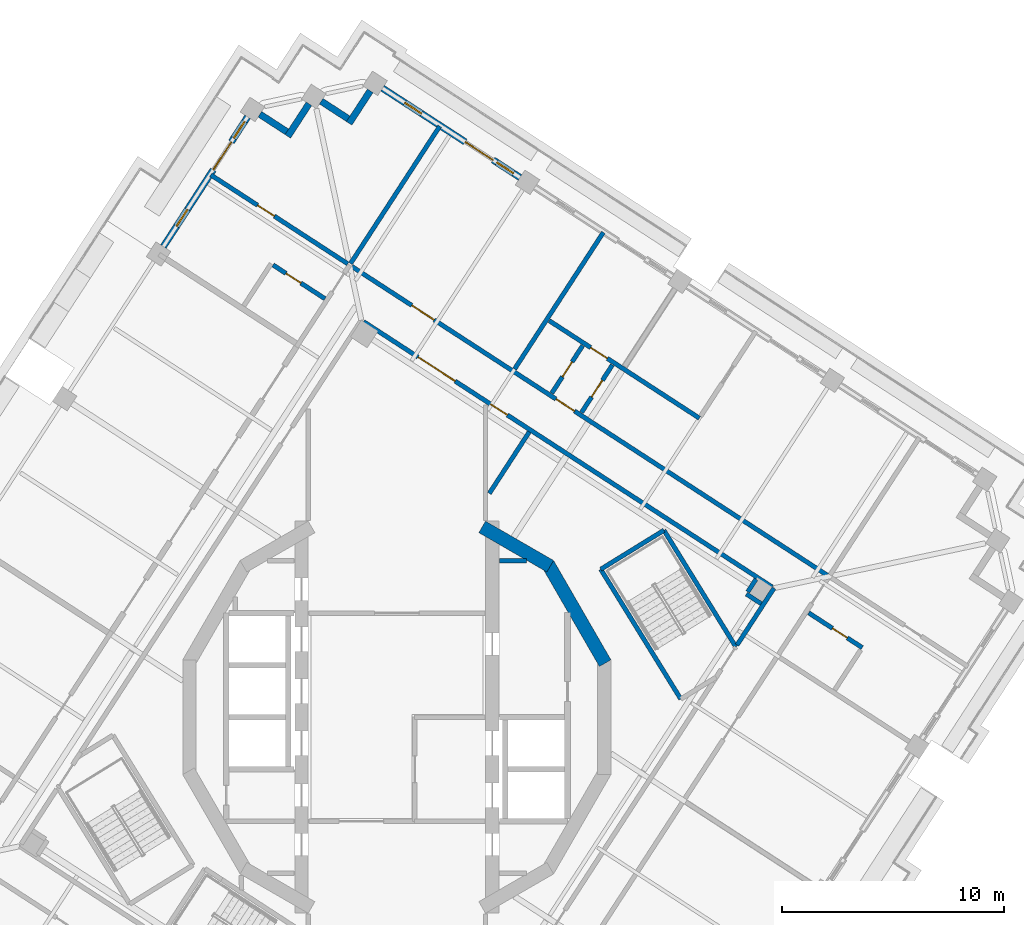
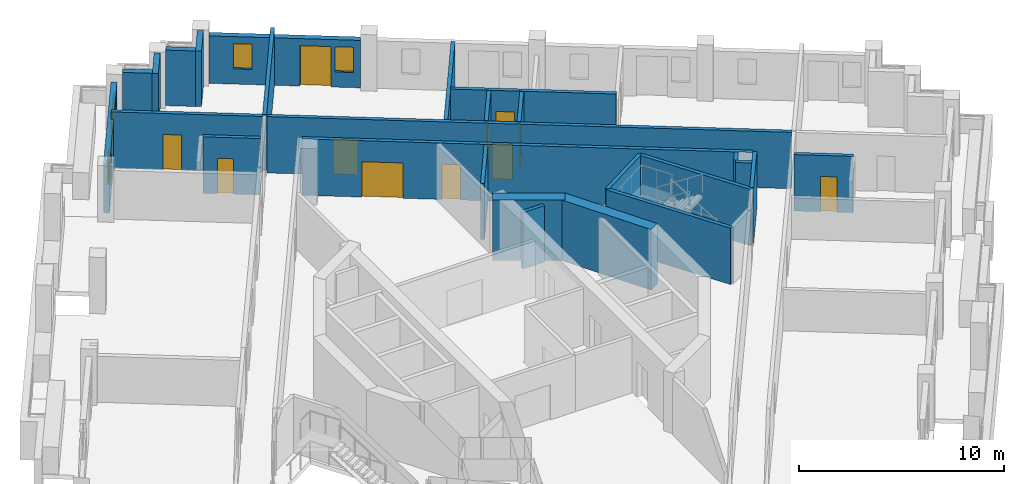
# One storey, part 8 of 15: 26 walls, 12 doors, 4 windows, 16 openings.
"""IFC4 building model written with IfcOpenShell, lengths in metres."""

from ifc_helpers import new_model, si_unit, direction, frame, frame_2d, origin, place, context, subcontext, project, spatial, rectangle, extrude, material, layer, layer_set, type_object, element, fill, save


model = new_model("IFC4")

# Units and contexts
model_context = context("Model", 3, precision=1e-05, world=origin(), true_north=direction((0.0, 1.0)))
body_context = subcontext(model_context, "Body", "Model", "MODEL_VIEW")
ifc_project = project(units=[si_unit("LENGTHUNIT", "METRE"), si_unit("AREAUNIT", "SQUARE_METRE"), si_unit("VOLUMEUNIT", "CUBIC_METRE"), si_unit("PLANEANGLEUNIT", "RADIAN"), si_unit("MASSUNIT", "GRAM", prefix="KILO")], contexts=[model_context])

# Site, building, storey
site_placement = place(None, origin())
site = spatial("IfcSite", under=ifc_project, at=site_placement, CompositionType="ELEMENT")
building_placement = place(site_placement, origin())
building = spatial("IfcBuilding", under=site, at=building_placement, Name="Cantera Rosa Tower", CompositionType="ELEMENT")
storey_placement = place(building_placement, frame((0.0, 0.0, 282.89990234375)))
storey = spatial("IfcBuildingStorey", under=building, at=storey_placement, Name="L64", CompositionType="ELEMENT", Elevation=282.89990234375)

# Wall
ifc_material_1 = material(Name="Gypsum board partition")
ifc_layer_1 = layer(ifc_material_1, 0.199951171875)
ifc_layer_set_1 = layer_set([ifc_layer_1], Name="CORRIDOR WALL 200 H3350")
wall_type_1 = type_object("IfcWallType", Name="CORRIDOR WALL 200 H3350", PredefinedType="PARTITIONING", material=ifc_layer_set_1)
wall_1_placement = place(storey_placement, frame((15.349853515625, 3.256103515625, 0.0), z_axis=(0.0, 0.0, 1.0), x_axis=(0.544603984755, 0.838693328809, 0.0)))
element("IfcWall", 1, at=wall_1_placement, inside=storey, type_object=wall_type_1, Name="CORRIDOR WALL L64-079", PredefinedType="PARTITIONING", context=body_context, shape_type="SweptSolid", body=[
    extrude(rectangle(XDim=3.05908203125, YDim=0.199951171875, at=frame_2d((1.529541015625, 0.0))), origin(), (0.0, 0.0, 1.0), 3.35009765625),
])

# Wall, openings, doors
wall_2_placement = place(storey_placement, frame((16.931884765625, 5.876220703125, 0.0), z_axis=(0.0, 0.0, 1.0), x_axis=(-0.838668134264, 0.544642782538, 0.0)))
wall_2 = element("IfcWall", 2, at=wall_2_placement, inside=storey, type_object=wall_type_1, Name="CORRIDOR WALL L64-083", PredefinedType="PARTITIONING", context=body_context, shape_type="SweptSolid", body=[
    extrude(rectangle(XDim=21.97998046875, YDim=0.199951171875, at=frame_2d((10.989990234375, 0.0))), origin(), (0.0, 0.0, 1.0), 3.35009765625),
])
opening_1_placement = place(wall_2_placement, frame((14.243896484375, 0.0, 0.0)))
opening_1 = element("IfcOpeningElement", 3, at=opening_1_placement, cuts=wall_2, Name="Opening L64-004", PredefinedType="OPENING", context=body_context, shape_type="SweptSolid", body=[
    extrude(rectangle(XDim=0.89990234375, YDim=2.10009765625, at=frame_2d((0.449951171875, 1.050048828125))), frame((0.0, 0.10986328125, 0.0), z_axis=(0.0, -1.0, 0.0), x_axis=(1.0, 0.0, 0.0)), (0.0, 0.0, 1.0), 0.219970703125),
])
opening_2_placement = place(wall_2_placement, frame((17.050048828125, 0.0, 0.0)))
opening_2 = element("IfcOpeningElement", 4, at=opening_2_placement, cuts=wall_2, Name="Opening L64-008", PredefinedType="OPENING", context=body_context, shape_type="SweptSolid", body=[
    extrude(rectangle(XDim=2.0, YDim=2.10009765625, at=frame_2d((1.0, 1.050048828125))), frame((0.0, 0.10986328125, 0.0), z_axis=(0.0, -1.0, 0.0), x_axis=(1.0, 0.0, 0.0)), (0.0, 0.0, 1.0), 0.219970703125),
])
ifc_material_2 = material(Name="Steel S355J2 (EN 10025-2)", Category="steel")
door_type_1 = type_object("IfcDoorType", Name="LOBBY SCREEN DOOR 2000x2100", OperationType="NOTDEFINED", PredefinedType="DOOR", material=ifc_material_2)
door_1_placement = place(opening_2_placement, origin())
door_1 = element("IfcDoor", 5, at=door_1_placement, inside=storey, type_object=door_type_1, Name="DOOR L64-008", OperationType="NOTDEFINED", OverallHeight=2.10009765625, OverallWidth=2.0, PredefinedType="DOOR", context=body_context, shape_type="SweptSolid", body=[
    extrude(rectangle(XDim=2.0, YDim=2.10009765625, at=frame_2d((1.0, 1.050048828125))), frame((0.0, 0.02490234375, 0.0), z_axis=(0.0, -1.0, 0.0), x_axis=(1.0, 0.0, 0.0)), (0.0, 0.0, 1.0), 0.050048828125),
])
fill(opening_2, door_1)
ifc_material_3 = material(Name="Timber door leaf", Category="wood")
door_type_2 = type_object("IfcDoorType", Name="SERVICE DOOR 900x2100", OperationType="NOTDEFINED", PredefinedType="DOOR", material=ifc_material_3)
door_2_placement = place(opening_1_placement, origin())
door_2 = element("IfcDoor", 6, at=door_2_placement, inside=storey, type_object=door_type_2, Name="DOOR L64-004", OperationType="NOTDEFINED", OverallHeight=2.10009765625, OverallWidth=0.89990234375, PredefinedType="DOOR", context=body_context, shape_type="SweptSolid", body=[
    extrude(rectangle(XDim=0.89990234375, YDim=2.10009765625, at=frame_2d((0.449951171875, 1.050048828125))), frame((0.0, 0.02490234375, 0.0), z_axis=(0.0, -1.0, 0.0), x_axis=(1.0, 0.0, 0.0)), (0.0, 0.0, 1.0), 0.050048828125),
])
fill(opening_1, door_2)

wall_3_placement = place(storey_placement, frame((19.422119140625, 6.405517578125, 0.0), z_axis=(0.0, 0.0, 1.0), x_axis=(-0.838672283131, 0.544636393851, 0.0)))
wall_3 = element("IfcWall", 7, at=wall_3_placement, inside=storey, type_object=wall_type_1, Name="CORRIDOR WALL L64-086", PredefinedType="PARTITIONING", context=body_context, shape_type="SweptSolid", body=[
    extrude(rectangle(XDim=25.580078125, YDim=0.199951171875, at=frame_2d((12.7900390625, 0.0))), origin(), (0.0, 0.0, 1.0), 3.35009765625),
])
opening_3_placement = place(wall_3_placement, frame((13.60009765625, 0.0, 0.0)))
opening_3 = element("IfcOpeningElement", 8, at=opening_3_placement, cuts=wall_3, Name="Opening L64-018", PredefinedType="OPENING", context=body_context, shape_type="SweptSolid", body=[
    extrude(rectangle(XDim=1.0, YDim=2.10009765625, at=frame_2d((0.5, 1.050048828125))), frame((0.0, 0.10986328125, 0.0), z_axis=(0.0, -1.0, 0.0), x_axis=(1.0, 0.0, 0.0)), (0.0, 0.0, 1.0), 0.219970703125),
])
opening_4_placement = place(wall_3_placement, frame((21.14990234375, 0.0, 0.0)))
opening_4 = element("IfcOpeningElement", 9, at=opening_4_placement, cuts=wall_3, Name="Opening L64-023", PredefinedType="OPENING", context=body_context, shape_type="SweptSolid", body=[
    extrude(rectangle(XDim=1.199951171875, YDim=2.10009765625, at=frame_2d((0.60009765625, 1.050048828125))), frame((0.0, 0.10986328125, 0.0), z_axis=(0.0, -1.0, 0.0), x_axis=(1.0, 0.0, 0.0)), (0.0, 0.0, 1.0), 0.219970703125),
])
ifc_material_4 = material(Name="Timber door leaf", Category="wood")
door_type_3 = type_object("IfcDoorType", Name="ENTRANCE DOOR 1000x2100", OperationType="NOTDEFINED", PredefinedType="DOOR", material=ifc_material_4)
door_3_placement = place(opening_3_placement, origin())
door_3 = element("IfcDoor", 10, at=door_3_placement, inside=storey, type_object=door_type_3, Name="DOOR L64-018", OperationType="NOTDEFINED", OverallHeight=2.10009765625, OverallWidth=1.0, PredefinedType="DOOR", context=body_context, shape_type="SweptSolid", body=[
    extrude(rectangle(XDim=1.0, YDim=2.10009765625, at=frame_2d((0.5, 1.050048828125))), frame((0.0, 0.02490234375, 0.0), z_axis=(0.0, -1.0, 0.0), x_axis=(1.0, 0.0, 0.0)), (0.0, 0.0, 1.0), 0.050048828125),
])
fill(opening_3, door_3)
ifc_material_5 = material(Name="Timber door leaf", Category="wood")
door_type_4 = type_object("IfcDoorType", Name="ROOM DOOR 1200x2100", OperationType="NOTDEFINED", PredefinedType="DOOR", material=ifc_material_5)
door_4_placement = place(opening_4_placement, origin())
door_4 = element("IfcDoor", 11, at=door_4_placement, inside=storey, type_object=door_type_4, Name="DOOR L64-023", OperationType="NOTDEFINED", OverallHeight=2.10009765625, OverallWidth=1.199951171875, PredefinedType="DOOR", context=body_context, shape_type="SweptSolid", body=[
    extrude(rectangle(XDim=1.199951171875, YDim=2.10009765625, at=frame_2d((0.60009765625, 1.050048828125))), frame((0.0, 0.02490234375, 0.0), z_axis=(0.0, -1.0, 0.0), x_axis=(1.0, 0.0, 0.0)), (0.0, 0.0, 1.0), 0.050048828125),
])
fill(opening_4, door_4)

# Walls
ifc_material_6 = material(Name="Hollow clay masonry with cantera stone cladding", Category="masonry")
ifc_layer_2 = layer(ifc_material_6, 0.300048828125)
ifc_layer_set_2 = layer_set([ifc_layer_2], Name="EW-LOGGIA 300")
wall_type_2 = type_object("IfcWallType", Name="EW-LOGGIA 300", PredefinedType="SOLIDWALL", material=ifc_layer_set_2)
wall_4_placement = place(storey_placement, frame((-1.2001953125, 28.263427734375, 0.0), z_axis=(0.0, 0.0, 1.0), x_axis=(-0.54461563776, -0.838685761837, 0.0)))
element("IfcWall", 12, at=wall_4_placement, inside=storey, type_object=wall_type_2, Name="EN-L64-W05a", PredefinedType="SOLIDWALL", context=body_context, shape_type="SweptSolid", body=[
    extrude(rectangle(XDim=1.75, YDim=0.300048828125, at=frame_2d((0.875, 0.0))), origin(), (0.0, 0.0, 1.0), 3.300048828125),
])
wall_5_placement = place(storey_placement, frame((-2.197509765625, 27.003173828125, 0.0), z_axis=(0.0, 0.0, 1.0), x_axis=(-0.838647435384, 0.54467465438, 0.0)))
element("IfcWall", 13, at=wall_5_placement, inside=storey, type_object=wall_type_2, Name="EN-L64-W05b", PredefinedType="SOLIDWALL", context=body_context, shape_type="SweptSolid", body=[
    extrude(rectangle(XDim=1.449951171875, YDim=0.300048828125, at=frame_2d((0.72509765625, 0.0))), origin(), (0.0, 0.0, 1.0), 3.300048828125),
])
wall_6_placement = place(storey_placement, frame((-3.966796875, 27.67529296875, 0.0), z_axis=(0.0, 0.0, 1.0), x_axis=(-0.544679362749, -0.83864437743, 0.0)))
element("IfcWall", 14, at=wall_6_placement, inside=storey, type_object=wall_type_2, Name="EN-L64-W06a", PredefinedType="SOLIDWALL", context=body_context, shape_type="SweptSolid", body=[
    extrude(rectangle(XDim=1.75, YDim=0.300048828125, at=frame_2d((0.875, 0.0))), origin(), (0.0, 0.0, 1.0), 3.300048828125),
])
wall_7_placement = place(storey_placement, frame((-4.964111328125, 26.415283203125, 0.0), z_axis=(0.0, 0.0, 1.0), x_axis=(-0.838724343483, 0.544556218997, 0.0)))
element("IfcWall", 15, at=wall_7_placement, inside=storey, type_object=wall_type_2, Name="EN-L64-W06b", PredefinedType="SOLIDWALL", context=body_context, shape_type="SweptSolid", body=[
    extrude(rectangle(XDim=1.449951171875, YDim=0.300048828125, at=frame_2d((0.72509765625, 0.0))), origin(), (0.0, 0.0, 1.0), 3.300048828125),
])

# Wall, openings, windows, door
ifc_material_7 = material(Name="Hollow clay masonry with cantera stone cladding", Category="masonry")
ifc_layer_3 = layer(ifc_material_7, 0.300048828125)
ifc_layer_set_3 = layer_set([ifc_layer_3], Name="EW-LOGGIA 300 H2820")
wall_type_3 = type_object("IfcWallType", Name="EW-LOGGIA 300 H2820", PredefinedType="SOLIDWALL", material=ifc_layer_set_3)
wall_8_placement = place(storey_placement, frame((5.559326171875, 24.350830078125, 0.0), z_axis=(0.0, 0.0, 1.0), x_axis=(-0.838679465365, 0.544625333946, 0.0)))
wall_8 = element("IfcWall", 16, at=wall_8_placement, inside=storey, type_object=wall_type_3, Name="EN-L64-W04", PredefinedType="SOLIDWALL", context=body_context, shape_type="SweptSolid", body=[
    extrude(rectangle(XDim=7.400146484375, YDim=0.300048828125, at=frame_2d((3.7001953125, 0.0))), origin(), (0.0, 0.0, 1.0), 2.820068359375),
])
opening_5_placement = place(wall_8_placement, frame((0.35009765625, 0.0, 0.89990234375)))
opening_5 = element("IfcOpeningElement", 17, at=opening_5_placement, cuts=wall_8, Name="Opening L64-W10", PredefinedType="OPENING", context=body_context, shape_type="SweptSolid", body=[
    extrude(rectangle(XDim=0.89990234375, YDim=1.5, at=frame_2d((0.449951171875, 0.75))), frame((0.0, 0.159912109375, 0.0), z_axis=(0.0, -1.0, 0.0), x_axis=(1.0, 0.0, 0.0)), (0.0, 0.0, 1.0), 0.320068359375),
])
opening_6_placement = place(wall_8_placement, frame((1.449951171875, 0.0, 0.0)))
opening_6 = element("IfcOpeningElement", 18, at=opening_6_placement, cuts=wall_8, Name="Opening L64-TD11", PredefinedType="OPENING", context=body_context, shape_type="SweptSolid", body=[
    extrude(rectangle(XDim=1.5, YDim=2.39990234375, at=frame_2d((0.75, 1.199951171875))), frame((0.0, 0.159912109375, 0.0), z_axis=(0.0, -1.0, 0.0), x_axis=(1.0, 0.0, 0.0)), (0.0, 0.0, 1.0), 0.320068359375),
])
opening_7_placement = place(wall_8_placement, frame((5.300048828125, 0.0, 0.89990234375)))
opening_7 = element("IfcOpeningElement", 19, at=opening_7_placement, cuts=wall_8, Name="Opening L64-W12", PredefinedType="OPENING", context=body_context, shape_type="SweptSolid", body=[
    extrude(rectangle(XDim=0.89990234375, YDim=1.5, at=frame_2d((0.449951171875, 0.75))), frame((0.0, 0.159912109375, 0.0), z_axis=(0.0, -1.0, 0.0), x_axis=(1.0, 0.0, 0.0)), (0.0, 0.0, 1.0), 0.320068359375),
])
ifc_material_8 = material(Name="Aluminium frame with clear glass", Category="aluminium")
window_type = type_object("IfcWindowType", Name="Residential window 900x1500", PartitioningType="SINGLE_PANEL", PredefinedType="WINDOW", material=ifc_material_8)
window_1_placement = place(opening_5_placement, origin())
window_1 = element("IfcWindow", 20, at=window_1_placement, inside=storey, type_object=window_type, Name="WINDOW L64-W10", OverallHeight=1.5, OverallWidth=0.89990234375, PartitioningType="SINGLE_PANEL", PredefinedType="WINDOW", context=body_context, shape_type="SweptSolid", body=[
    extrude(rectangle(XDim=0.89990234375, YDim=1.5, at=frame_2d((0.449951171875, 0.75))), frame((0.0, 0.030029296875, 0.0), z_axis=(0.0, -1.0, 0.0), x_axis=(1.0, 0.0, 0.0)), (0.0, 0.0, 1.0), 0.06005859375),
])
fill(opening_5, window_1)
window_2_placement = place(opening_7_placement, origin())
window_2 = element("IfcWindow", 21, at=window_2_placement, inside=storey, type_object=window_type, Name="WINDOW L64-W12", OverallHeight=1.5, OverallWidth=0.89990234375, PartitioningType="SINGLE_PANEL", PredefinedType="WINDOW", context=body_context, shape_type="SweptSolid", body=[
    extrude(rectangle(XDim=0.89990234375, YDim=1.5, at=frame_2d((0.449951171875, 0.75))), frame((0.0, 0.030029296875, 0.0), z_axis=(0.0, -1.0, 0.0), x_axis=(1.0, 0.0, 0.0)), (0.0, 0.0, 1.0), 0.06005859375),
])
fill(opening_7, window_2)
ifc_material_9 = material(Name="Aluminium frame with clear glass", Category="aluminium")
door_type_5 = type_object("IfcDoorType", Name="TD-R 1500x2400", OperationType="NOTDEFINED", PredefinedType="DOOR", material=ifc_material_9)
door_5_placement = place(opening_6_placement, origin())
door_5 = element("IfcDoor", 22, at=door_5_placement, inside=storey, type_object=door_type_5, Name="LOGGIA DOOR L64-TD11", OperationType="SLIDING_TO_LEFT", OverallHeight=2.39990234375, OverallWidth=1.5, PredefinedType="DOOR", context=body_context, shape_type="SweptSolid", body=[
    extrude(rectangle(XDim=1.5, YDim=2.39990234375, at=frame_2d((0.75, 1.199951171875))), frame((0.0, 0.02490234375, 0.0), z_axis=(0.0, -1.0, 0.0), x_axis=(1.0, 0.0, 0.0)), (0.0, 0.0, 1.0), 0.050048828125),
])
fill(opening_6, door_5)

ifc_material_10 = material(Name="Hollow clay masonry with cantera stone cladding", Category="masonry")
ifc_layer_4 = layer(ifc_material_10, 0.300048828125)
ifc_layer_set_4 = layer_set([ifc_layer_4], Name="EW-LOGGIA 300 H2890")
wall_type_4 = type_object("IfcWallType", Name="EW-LOGGIA 300 H2890", PredefinedType="SOLIDWALL", material=ifc_layer_set_4)
wall_9_placement = place(storey_placement, frame((-6.7333984375, 27.08740234375, 0.0), z_axis=(0.0, 0.0, 1.0), x_axis=(-0.544651451949, -0.838662504164, 0.0)))
wall_9 = element("IfcWall", 23, at=wall_9_placement, inside=storey, type_object=wall_type_4, Name="EN-L64-W07", PredefinedType="SOLIDWALL", context=body_context, shape_type="SweptSolid", body=[
    extrude(rectangle(XDim=6.980224609375, YDim=0.300048828125, at=frame_2d((3.490234375, 0.0))), origin(), (0.0, 0.0, 1.0), 2.89013671875),
])
opening_8_placement = place(wall_9_placement, frame((0.2451171875, 0.0, 0.89990234375)))
opening_8 = element("IfcOpeningElement", 24, at=opening_8_placement, cuts=wall_9, Name="Opening L64-W13", PredefinedType="OPENING", context=body_context, shape_type="SweptSolid", body=[
    extrude(rectangle(XDim=0.89990234375, YDim=1.5, at=frame_2d((0.449951171875, 0.75))), frame((0.0, 0.159912109375, 0.0), z_axis=(0.0, -1.0, 0.0), x_axis=(1.0, 0.0, 0.0)), (0.0, 0.0, 1.0), 0.320068359375),
])
opening_9_placement = place(wall_9_placement, frame((1.344970703125, 0.0, 0.0)))
opening_9 = element("IfcOpeningElement", 25, at=opening_9_placement, cuts=wall_9, Name="Opening L64-TD14", PredefinedType="OPENING", context=body_context, shape_type="SweptSolid", body=[
    extrude(rectangle(XDim=1.5, YDim=2.39990234375, at=frame_2d((0.75, 1.199951171875))), frame((0.0, 0.159912109375, 0.0), z_axis=(0.0, -1.0, 0.0), x_axis=(1.0, 0.0, 0.0)), (0.0, 0.0, 1.0), 0.320068359375),
])
opening_10_placement = place(wall_9_placement, frame((4.985107421875, 0.0, 0.89990234375)))
opening_10 = element("IfcOpeningElement", 26, at=opening_10_placement, cuts=wall_9, Name="Opening L64-W15", PredefinedType="OPENING", context=body_context, shape_type="SweptSolid", body=[
    extrude(rectangle(XDim=0.89990234375, YDim=1.5, at=frame_2d((0.449951171875, 0.75))), frame((0.0, 0.159912109375, 0.0), z_axis=(0.0, -1.0, 0.0), x_axis=(1.0, 0.0, 0.0)), (0.0, 0.0, 1.0), 0.320068359375),
])
window_3_placement = place(opening_8_placement, origin())
window_3 = element("IfcWindow", 27, at=window_3_placement, inside=storey, type_object=window_type, Name="WINDOW L64-W13", OverallHeight=1.5, OverallWidth=0.89990234375, PartitioningType="SINGLE_PANEL", PredefinedType="WINDOW", context=body_context, shape_type="SweptSolid", body=[
    extrude(rectangle(XDim=0.89990234375, YDim=1.5, at=frame_2d((0.449951171875, 0.75))), frame((0.0, 0.030029296875, 0.0), z_axis=(0.0, -1.0, 0.0), x_axis=(1.0, 0.0, 0.0)), (0.0, 0.0, 1.0), 0.06005859375),
])
fill(opening_8, window_3)
window_4_placement = place(opening_10_placement, origin())
window_4 = element("IfcWindow", 28, at=window_4_placement, inside=storey, type_object=window_type, Name="WINDOW L64-W15", OverallHeight=1.5, OverallWidth=0.89990234375, PartitioningType="SINGLE_PANEL", PredefinedType="WINDOW", context=body_context, shape_type="SweptSolid", body=[
    extrude(rectangle(XDim=0.89990234375, YDim=1.5, at=frame_2d((0.449951171875, 0.75))), frame((0.0, 0.030029296875, 0.0), z_axis=(0.0, -1.0, 0.0), x_axis=(1.0, 0.0, 0.0)), (0.0, 0.0, 1.0), 0.06005859375),
])
fill(opening_10, window_4)
door_6_placement = place(opening_9_placement, origin())
door_6 = element("IfcDoor", 29, at=door_6_placement, inside=storey, type_object=door_type_5, Name="LOGGIA DOOR L64-TD14", OperationType="SLIDING_TO_LEFT", OverallHeight=2.39990234375, OverallWidth=1.5, PredefinedType="DOOR", context=body_context, shape_type="SweptSolid", body=[
    extrude(rectangle(XDim=1.5, YDim=2.39990234375, at=frame_2d((0.75, 1.199951171875))), frame((0.0, 0.02490234375, 0.0), z_axis=(0.0, -1.0, 0.0), x_axis=(1.0, 0.0, 0.0)), (0.0, 0.0, 1.0), 0.050048828125),
])
fill(opening_9, door_6)

# Wall, opening, door
ifc_material_11 = material(Name="Gypsum board partition")
ifc_layer_5 = layer(ifc_material_11, 0.199951171875)
ifc_layer_set_5 = layer_set([ifc_layer_5], Name="PARTITION 200 H3350")
wall_type_5 = type_object("IfcWallType", Name="PARTITION 200 H3350", PredefinedType="PARTITIONING", material=ifc_layer_set_5)
wall_10_placement = place(storey_placement, frame((-5.587890625, 20.405517578125, 0.0), z_axis=(0.0, 0.0, 1.0), x_axis=(0.838656694237, -0.544660398056, 0.0)))
wall_10 = element("IfcWall", 30, at=wall_10_placement, inside=storey, type_object=wall_type_5, Name="PARTITION L64-032", PredefinedType="PARTITIONING", context=body_context, shape_type="SweptSolid", body=[
    extrude(rectangle(XDim=2.80029296875, YDim=0.199951171875, at=frame_2d((1.400146484375, 0.0))), origin(), (0.0, 0.0, 1.0), 3.35009765625),
])
opening_11_placement = place(wall_10_placement, frame((0.699951171875, 0.0, 0.0)))
opening_11 = element("IfcOpeningElement", 31, at=opening_11_placement, cuts=wall_10, Name="Opening L64-026", PredefinedType="OPENING", context=body_context, shape_type="SweptSolid", body=[
    extrude(rectangle(XDim=0.800048828125, YDim=2.10009765625, at=frame_2d((0.39990234375, 1.050048828125))), frame((0.0, 0.10986328125, 0.0), z_axis=(0.0, -1.0, 0.0), x_axis=(1.0, 0.0, 0.0)), (0.0, 0.0, 1.0), 0.219970703125),
])
ifc_material_12 = material(Name="Timber door leaf", Category="wood")
door_type_6 = type_object("IfcDoorType", Name="BATHROOM DOOR 800x2100", OperationType="NOTDEFINED", PredefinedType="DOOR", material=ifc_material_12)
door_7_placement = place(opening_11_placement, origin())
door_7 = element("IfcDoor", 32, at=door_7_placement, inside=storey, type_object=door_type_6, Name="DOOR L64-026", OperationType="NOTDEFINED", OverallHeight=2.10009765625, OverallWidth=0.800048828125, PredefinedType="DOOR", context=body_context, shape_type="SweptSolid", body=[
    extrude(rectangle(XDim=0.800048828125, YDim=2.10009765625, at=frame_2d((0.39990234375, 1.050048828125))), frame((0.0, 0.02490234375, 0.0), z_axis=(0.0, -1.0, 0.0), x_axis=(1.0, 0.0, 0.0)), (0.0, 0.0, 1.0), 0.050048828125),
])
fill(opening_11, door_7)

wall_11_placement = place(storey_placement, frame((-2.2158203125, 20.45703125, 0.0), z_axis=(0.0, 0.0, 1.0), x_axis=(-0.838656223885, 0.544661122294, 0.0)))
wall_11 = element("IfcWall", 33, at=wall_11_placement, inside=storey, type_object=wall_type_5, Name="PARTITION L64-044", PredefinedType="PARTITIONING", context=body_context, shape_type="SweptSolid", body=[
    extrude(rectangle(XDim=7.3701171875, YDim=0.199951171875, at=frame_2d((3.68505859375, 0.0))), origin(), (0.0, 0.0, 1.0), 3.35009765625),
])
opening_12_placement = place(wall_11_placement, frame((3.949951171875, 0.0, 0.0)))
opening_12 = element("IfcOpeningElement", 34, at=opening_12_placement, cuts=wall_11, Name="Opening L64-027", PredefinedType="OPENING", context=body_context, shape_type="SweptSolid", body=[
    extrude(rectangle(XDim=0.89990234375, YDim=2.10009765625, at=frame_2d((0.449951171875, 1.050048828125))), frame((0.0, 0.10986328125, 0.0), z_axis=(0.0, -1.0, 0.0), x_axis=(1.0, 0.0, 0.0)), (0.0, 0.0, 1.0), 0.219970703125),
])
ifc_material_13 = material(Name="Timber door leaf", Category="wood")
door_type_7 = type_object("IfcDoorType", Name="ROOM DOOR 900x2100", OperationType="NOTDEFINED", PredefinedType="DOOR", material=ifc_material_13)
door_8_placement = place(opening_12_placement, origin())
door_8 = element("IfcDoor", 35, at=door_8_placement, inside=storey, type_object=door_type_7, Name="DOOR L64-027", OperationType="NOTDEFINED", OverallHeight=2.10009765625, OverallWidth=0.89990234375, PredefinedType="DOOR", context=body_context, shape_type="SweptSolid", body=[
    extrude(rectangle(XDim=0.89990234375, YDim=2.10009765625, at=frame_2d((0.449951171875, 1.050048828125))), frame((0.0, 0.02490234375, 0.0), z_axis=(0.0, -1.0, 0.0), x_axis=(1.0, 0.0, 0.0)), (0.0, 0.0, 1.0), 0.050048828125),
])
fill(opening_12, door_8)

# Walls
wall_12_placement = place(storey_placement, frame((4.6298828125, 7.050048828125, 0.0), z_axis=(0.0, 0.0, 1.0), x_axis=(1.0, 0.0, 0.0)))
element("IfcWall", 36, at=wall_12_placement, inside=storey, type_object=wall_type_5, Name="PARTITION L64-058", PredefinedType="PARTITIONING", context=body_context, shape_type="SweptSolid", body=[
    extrude(rectangle(XDim=1.2177734375, YDim=0.199951171875, at=frame_2d((0.60888671875, 0.0))), origin(), (0.0, 0.0, 1.0), 3.35009765625),
])
wall_13_placement = place(storey_placement, frame((5.974853515625, 12.87255859375, 0.0), z_axis=(0.0, 0.0, 1.0), x_axis=(-0.544656040198, -0.838659524405, 0.0)))
element("IfcWall", 37, at=wall_13_placement, inside=storey, type_object=wall_type_5, Name="PARTITION L64-063", PredefinedType="PARTITIONING", context=body_context, shape_type="SweptSolid", body=[
    extrude(rectangle(XDim=3.305908203125, YDim=0.199951171875, at=frame_2d((1.65283203125, 0.0))), origin(), (0.0, 0.0, 1.0), 3.35009765625),
])

# Wall, opening, door
wall_14_placement = place(storey_placement, frame((6.8740234375, 17.892578125, 0.0), z_axis=(0.0, 0.0, 1.0), x_axis=(0.838683778362, -0.544618692218, 0.0)))
wall_14 = element("IfcWall", 38, at=wall_14_placement, inside=storey, type_object=wall_type_5, Name="PARTITION L64-064", PredefinedType="PARTITIONING", context=body_context, shape_type="SweptSolid", body=[
    extrude(rectangle(XDim=8.079833984375, YDim=0.199951171875, at=frame_2d((4.0400390625, 0.0))), origin(), (0.0, 0.0, 1.0), 3.35009765625),
])
opening_13_placement = place(wall_14_placement, frame((2.22998046875, 0.0, 0.0)))
opening_13 = element("IfcOpeningElement", 39, at=opening_13_placement, cuts=wall_14, Name="Opening L64-021", PredefinedType="OPENING", context=body_context, shape_type="SweptSolid", body=[
    extrude(rectangle(XDim=0.89990234375, YDim=2.10009765625, at=frame_2d((0.449951171875, 1.050048828125))), frame((0.0, 0.10986328125, 0.0), z_axis=(0.0, -1.0, 0.0), x_axis=(1.0, 0.0, 0.0)), (0.0, 0.0, 1.0), 0.219970703125),
])
door_9_placement = place(opening_13_placement, origin())
door_9 = element("IfcDoor", 40, at=door_9_placement, inside=storey, type_object=door_type_7, Name="DOOR L64-021", OperationType="NOTDEFINED", OverallHeight=2.10009765625, OverallWidth=0.89990234375, PredefinedType="DOOR", context=body_context, shape_type="SweptSolid", body=[
    extrude(rectangle(XDim=0.89990234375, YDim=2.10009765625, at=frame_2d((0.449951171875, 1.050048828125))), frame((0.0, 0.02490234375, 0.0), z_axis=(0.0, -1.0, 0.0), x_axis=(1.0, 0.0, 0.0)), (0.0, 0.0, 1.0), 0.050048828125),
])
fill(opening_13, door_9)

wall_15_placement = place(storey_placement, frame((8.385498046875, 16.768310546875, 0.0), z_axis=(0.0, 0.0, 1.0), x_axis=(-0.544602829464, -0.838694078994, 0.0)))
wall_15 = element("IfcWall", 41, at=wall_15_placement, inside=storey, type_object=wall_type_5, Name="PARTITION L64-069", PredefinedType="PARTITIONING", context=body_context, shape_type="SweptSolid", body=[
    extrude(rectangle(XDim=2.560302734375, YDim=0.199951171875, at=frame_2d((1.2802734375, 0.0))), origin(), (0.0, 0.0, 1.0), 3.35009765625),
])
opening_14_placement = place(wall_15_placement, frame((0.8798828125, 0.0, 0.0)))
opening_14 = element("IfcOpeningElement", 42, at=opening_14_placement, cuts=wall_15, Name="Opening L64-019", PredefinedType="OPENING", context=body_context, shape_type="SweptSolid", body=[
    extrude(rectangle(XDim=0.800048828125, YDim=2.10009765625, at=frame_2d((0.39990234375, 1.050048828125))), frame((0.0, 0.10986328125, 0.0), z_axis=(0.0, -1.0, 0.0), x_axis=(1.0, 0.0, 0.0)), (0.0, 0.0, 1.0), 0.219970703125),
])
door_10_placement = place(opening_14_placement, origin())
door_10 = element("IfcDoor", 43, at=door_10_placement, inside=storey, type_object=door_type_6, Name="DOOR L64-019", OperationType="NOTDEFINED", OverallHeight=2.10009765625, OverallWidth=0.800048828125, PredefinedType="DOOR", context=body_context, shape_type="SweptSolid", body=[
    extrude(rectangle(XDim=0.800048828125, YDim=2.10009765625, at=frame_2d((0.39990234375, 1.050048828125))), frame((0.0, 0.02490234375, 0.0), z_axis=(0.0, -1.0, 0.0), x_axis=(1.0, 0.0, 0.0)), (0.0, 0.0, 1.0), 0.050048828125),
])
fill(opening_14, door_10)

wall_16_placement = place(storey_placement, frame((9.727294921875, 15.896728515625, 0.0), z_axis=(0.0, 0.0, 1.0), x_axis=(-0.544646388536, -0.838665792468, 0.0)))
wall_16 = element("IfcWall", 44, at=wall_16_placement, inside=storey, type_object=wall_type_5, Name="PARTITION L64-071", PredefinedType="PARTITIONING", context=body_context, shape_type="SweptSolid", body=[
    extrude(rectangle(XDim=2.56005859375, YDim=0.199951171875, at=frame_2d((1.280029296875, 0.0))), origin(), (0.0, 0.0, 1.0), 3.35009765625),
])
opening_15_placement = place(wall_16_placement, frame((0.830078125, 0.0, 0.0)))
opening_15 = element("IfcOpeningElement", 45, at=opening_15_placement, cuts=wall_16, Name="Opening L64-020", PredefinedType="OPENING", context=body_context, shape_type="SweptSolid", body=[
    extrude(rectangle(XDim=0.89990234375, YDim=2.10009765625, at=frame_2d((0.449951171875, 1.050048828125))), frame((0.0, 0.10986328125, 0.0), z_axis=(0.0, -1.0, 0.0), x_axis=(1.0, 0.0, 0.0)), (0.0, 0.0, 1.0), 0.219970703125),
])
door_11_placement = place(opening_15_placement, origin())
door_11 = element("IfcDoor", 46, at=door_11_placement, inside=storey, type_object=door_type_7, Name="DOOR L64-020", OperationType="NOTDEFINED", OverallHeight=2.10009765625, OverallWidth=0.89990234375, PredefinedType="DOOR", context=body_context, shape_type="SweptSolid", body=[
    extrude(rectangle(XDim=0.89990234375, YDim=2.10009765625, at=frame_2d((0.449951171875, 1.050048828125))), frame((0.0, 0.02490234375, 0.0), z_axis=(0.0, -1.0, 0.0), x_axis=(1.0, 0.0, 0.0)), (0.0, 0.0, 1.0), 0.050048828125),
])
fill(opening_15, door_11)

# Walls
wall_17_placement = place(storey_placement, frame((15.77099609375, 5.55712890625, 0.0), z_axis=(0.0, 0.0, 1.0), x_axis=(0.838610911516, -0.544730886847, 0.0)))
element("IfcWall", 47, at=wall_17_placement, inside=storey, type_object=wall_type_5, Name="PARTITION L64-080", PredefinedType="PARTITIONING", context=body_context, shape_type="SweptSolid", body=[
    extrude(rectangle(XDim=0.800048828125, YDim=0.199951171875, at=frame_2d((0.39990234375, 0.0))), origin(), (0.0, 0.0, 1.0), 3.35009765625),
])
wall_18_placement = place(storey_placement, frame((16.20654296875, 6.22802734375, 0.0), z_axis=(0.0, 0.0, 1.0), x_axis=(-0.544634959849, -0.838673214375, 0.0)))
element("IfcWall", 48, at=wall_18_placement, inside=storey, type_object=wall_type_5, Name="PARTITION L64-082", PredefinedType="PARTITIONING", context=body_context, shape_type="SweptSolid", body=[
    extrude(rectangle(XDim=0.679931640625, YDim=0.199951171875, at=frame_2d((0.33984375, 0.0))), origin(), (0.0, 0.0, 1.0), 3.35009765625),
])

# Wall, opening, door
wall_19_placement = place(storey_placement, frame((18.58251953125, 4.708984375, 0.0), z_axis=(0.0, 0.0, 1.0), x_axis=(0.838654665308, -0.544663522147, 0.0)))
wall_19 = element("IfcWall", 49, at=wall_19_placement, inside=storey, type_object=wall_type_5, Name="PARTITION L64-085", PredefinedType="PARTITIONING", context=body_context, shape_type="SweptSolid", body=[
    extrude(rectangle(XDim=2.8798828125, YDim=0.199951171875, at=frame_2d((1.43994140625, 0.0))), origin(), (0.0, 0.0, 1.0), 3.35009765625),
])
opening_16_placement = place(wall_19_placement, frame((1.280029296875, 0.0, 0.0)))
opening_16 = element("IfcOpeningElement", 50, at=opening_16_placement, cuts=wall_19, Name="Opening L64-039", PredefinedType="OPENING", context=body_context, shape_type="SweptSolid", body=[
    extrude(rectangle(XDim=0.800048828125, YDim=2.10009765625, at=frame_2d((0.39990234375, 1.050048828125))), frame((0.0, 0.10986328125, 0.0), z_axis=(0.0, -1.0, 0.0), x_axis=(1.0, 0.0, 0.0)), (0.0, 0.0, 1.0), 0.219970703125),
])
door_12_placement = place(opening_16_placement, origin())
door_12 = element("IfcDoor", 51, at=door_12_placement, inside=storey, type_object=door_type_6, Name="DOOR L64-039", OperationType="NOTDEFINED", OverallHeight=2.10009765625, OverallWidth=0.800048828125, PredefinedType="DOOR", context=body_context, shape_type="SweptSolid", body=[
    extrude(rectangle(XDim=0.800048828125, YDim=2.10009765625, at=frame_2d((0.39990234375, 1.050048828125))), frame((0.0, 0.02490234375, 0.0), z_axis=(0.0, -1.0, 0.0), x_axis=(1.0, 0.0, 0.0)), (0.0, 0.0, 1.0), 0.050048828125),
])
fill(opening_16, door_12)

# Walls
ifc_material_14 = material(Name="Gypsum board partition")
ifc_layer_6 = layer(ifc_material_14, 0.199951171875)
ifc_layer_set_6 = layer_set([ifc_layer_6], Name="PARTY WALL 200 H2850")
wall_type_6 = type_object("IfcWallType", Name="PARTY WALL 200 H2850", PredefinedType="PARTITIONING", material=ifc_layer_set_6)
wall_20_placement = place(storey_placement, frame((5.313720703125, 15.71044921875, 0.0), z_axis=(0.0, 0.0, 1.0), x_axis=(0.544641550729, 0.838668934217, 0.0)))
element("IfcWall", 52, at=wall_20_placement, inside=storey, type_object=wall_type_6, Name="PARTY WALL L64-060", PredefinedType="PARTITIONING", context=body_context, shape_type="SweptSolid", body=[
    extrude(rectangle(XDim=7.35009765625, YDim=0.199951171875, at=frame_2d((3.675048828125, 0.0))), origin(), (0.0, 0.0, 1.0), 2.85009765625),
])
ifc_material_15 = material(Name="Gypsum board partition")
ifc_layer_7 = layer(ifc_material_15, 0.199951171875)
ifc_layer_set_7 = layer_set([ifc_layer_7], Name="PARTY WALL 200 H3350")
wall_type_7 = type_object("IfcWallType", Name="PARTY WALL 200 H3350", PredefinedType="PARTITIONING", material=ifc_layer_set_7)
wall_21_placement = place(storey_placement, frame((-2.08837890625, 20.4697265625, 0.0), z_axis=(0.0, 0.0, 1.0), x_axis=(0.544642261206, 0.838668472824, 0.0)))
element("IfcWall", 53, at=wall_21_placement, inside=storey, type_object=wall_type_7, Name="PARTY WALL L64-045", PredefinedType="PARTITIONING", context=body_context, shape_type="SweptSolid", body=[
    extrude(rectangle(XDim=7.389892578125, YDim=0.199951171875, at=frame_2d((3.69482421875, 0.0))), origin(), (0.0, 0.0, 1.0), 3.35009765625),
])
ifc_material_16 = material(Name="Concrete C50/60", Category="concrete")
ifc_layer_8 = layer(ifc_material_16, 0.60009765625)
ifc_layer_set_8 = layer_set([ifc_layer_8], Name="RC CORE WALL 600 C50/60")
wall_type_8 = type_object("IfcWallType", Name="RC CORE WALL 600 C50/60", PredefinedType="SHEAR", material=ifc_layer_set_8)
wall_22_placement = place(storey_placement, frame((3.85009765625, 8.584228515625, 0.0), z_axis=(0.0, 0.0, 1.0), x_axis=(0.866039982607, -0.499974747889, 0.0)))
element("IfcWall", 54, at=wall_22_placement, inside=storey, type_object=wall_type_8, Name="CW-E1 L64", PredefinedType="SHEAR", context=body_context, shape_type="SweptSolid", body=[
    extrude(rectangle(XDim=3.546142578125, YDim=0.60009765625, at=frame_2d((1.77294921875, 0.0))), origin(), (0.0, 0.0, 1.0), 3.60009765625),
])
wall_23_placement = place(storey_placement, frame((6.811279296875, 6.921142578125, 0.0), z_axis=(0.0, 0.0, 1.0), x_axis=(0.499989188378, -0.866031645787, 0.0)))
element("IfcWall", 55, at=wall_23_placement, inside=storey, type_object=wall_type_8, Name="CW-E2 L64", PredefinedType="SHEAR", context=body_context, shape_type="SweptSolid", body=[
    extrude(rectangle(XDim=5.17626953125, YDim=0.60009765625, at=frame_2d((2.588134765625, 0.0))), origin(), (0.0, 0.0, 1.0), 3.60009765625),
])
ifc_material_17 = material(Name="Concrete C50/60", Category="concrete")
ifc_layer_9 = layer(ifc_material_17, 0.199951171875)
ifc_layer_set_9 = layer_set([ifc_layer_9], Name="STAIR WALL 200 H3350")
wall_type_9 = type_object("IfcWallType", Name="STAIR WALL 200 H3350", PredefinedType="SOLIDWALL", material=ifc_layer_set_9)
wall_24_placement = place(storey_placement, frame((9.199462890625, 6.674072265625, 0.0), z_axis=(0.0, 0.0, 1.0), x_axis=(0.524972254536, -0.851119340614, 0.0)))
element("IfcWall", 56, at=wall_24_placement, inside=storey, type_object=wall_type_9, Name="STAIR WALL L64-070", PredefinedType="SOLIDWALL", context=body_context, shape_type="SweptSolid", body=[
    extrude(rectangle(XDim=6.880126953125, YDim=0.199951171875, at=frame_2d((3.43994140625, 0.0))), origin(), (0.0, 0.0, 1.0), 3.35009765625),
])
wall_25_placement = place(storey_placement, frame((12.05078125, 8.4326171875, 0.0), z_axis=(0.0, 0.0, 1.0), x_axis=(-0.85113993661, -0.524938861495, 0.0)))
element("IfcWall", 57, at=wall_25_placement, inside=storey, type_object=wall_type_9, Name="STAIR WALL L64-073", PredefinedType="SOLIDWALL", context=body_context, shape_type="SweptSolid", body=[
    extrude(rectangle(XDim=3.35009765625, YDim=0.199951171875, at=frame_2d((1.675048828125, 0.0))), origin(), (0.0, 0.0, 1.0), 3.35009765625),
])
wall_26_placement = place(storey_placement, frame((15.29541015625, 3.17236328125, 0.0), z_axis=(0.0, 0.0, 1.0), x_axis=(-0.524983142341, 0.851112624896, 0.0)))
element("IfcWall", 58, at=wall_26_placement, inside=storey, type_object=wall_type_9, Name="STAIR WALL L64-078", PredefinedType="SOLIDWALL", context=body_context, shape_type="SweptSolid", body=[
    extrude(rectangle(XDim=6.180419921875, YDim=0.199951171875, at=frame_2d((3.09033203125, 0.0))), origin(), (0.0, 0.0, 1.0), 3.35009765625),
])

save(model, "model.ifc")
